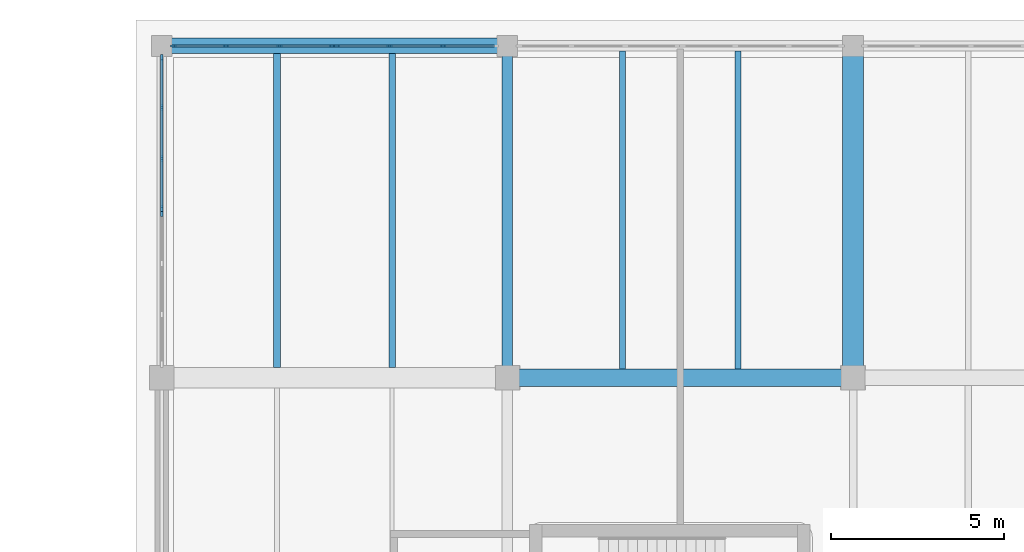
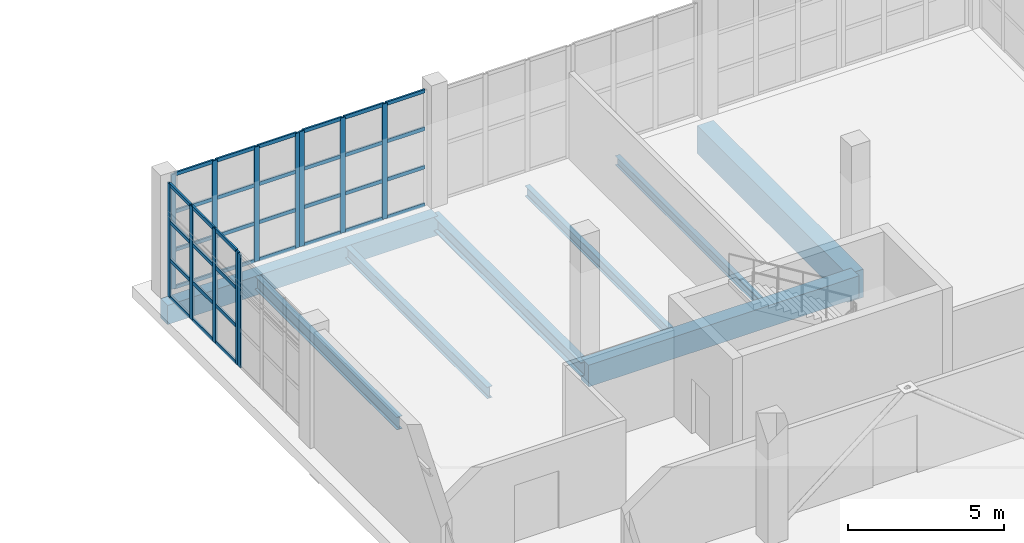
# One storey, part 39 of 121: 48 members, 8 beams, 4 elements without a shape of their own.
"""IFC4 building model written with IfcOpenShell, lengths in metres."""

from ifc_helpers import new_model, si_unit, direction, frame, origin, origin_2d, place, context, subcontext, project, spatial, rectangle, i_section, extrude, material, layer, layer_set, material_profile, profile_set, type_object, element, aggregate, save


model = new_model("IFC4")

# Units and contexts
model_context = context("Model", 3, precision=1e-05, world=origin(), true_north=direction((0.0, 1.0)))
body_context = subcontext(model_context, "Body", "Model", "MODEL_VIEW")
ifc_project = project(units=[si_unit("LENGTHUNIT", "METRE"), si_unit("AREAUNIT", "SQUARE_METRE"), si_unit("VOLUMEUNIT", "CUBIC_METRE"), si_unit("PLANEANGLEUNIT", "RADIAN"), si_unit("MASSUNIT", "GRAM", prefix="KILO")], contexts=[model_context])

# Site, building, storey
site_placement = place(None, origin())
site = spatial("IfcSite", under=ifc_project, at=site_placement, CompositionType="ELEMENT")
building_placement = place(site_placement, origin())
building = spatial("IfcBuilding", under=site, at=building_placement, Name="Zereglee Splitstone Museum", CompositionType="ELEMENT")
storey_placement = place(building_placement, origin())
storey = spatial("IfcBuildingStorey", under=building, at=storey_placement, Name="L00", CompositionType="ELEMENT", Elevation=0.0)

# Beams
ifc_material_1 = material(Name="Concrete C40/50", Category="concrete")
ifc_material_profile_1 = material_profile(ifc_material_1, rectangle(XDim=0.5, YDim=0.85009765625, at=origin_2d()), Name="RC 500x850")
ifc_profile_set_1 = profile_set([ifc_material_profile_1], Name="Concrete C40/50")
beam_type_1 = type_object("IfcBeamType", Name="BG-02", PredefinedType="BEAM", material=ifc_profile_set_1)
beam_1_placement = place(storey_placement, frame((185.199951171875, 50.39990234375, -0.844970703125), z_axis=(1.0, 0.0, 0.0), x_axis=(0.0, 1.0, 0.0)))
element("IfcBeam", 1, at=beam_1_placement, inside=storey, type_object=beam_type_1, Name="Primary Girder L00 F (185.2-195.2)", PredefinedType="BEAM", context=body_context, shape_type="SweptSolid", body=[
    extrude(rectangle(XDim=0.5, YDim=0.85009765625, at=origin_2d()), origin(), (0.0, 0.0, 1.0), 10.0),
])
ifc_material_profile_2 = material_profile(ifc_material_1, rectangle(XDim=0.60009765625, YDim=1.10009765625, at=origin_2d()), Name="RC 600x1100")
ifc_profile_set_2 = profile_set([ifc_material_profile_2], Name="Concrete C40/50")
beam_type_2 = type_object("IfcBeamType", Name="BG-01", PredefinedType="BEAM", material=ifc_profile_set_2)
beam_2_placement = place(storey_placement, frame((195.199951171875, 50.39990234375, -0.969970703125), z_axis=(0.0, 1.0, 0.0), x_axis=(-1.0, 0.0, 0.0)))
element("IfcBeam", 2, at=beam_2_placement, inside=storey, type_object=beam_type_2, Name="Primary Girder L00 22 (50.4-60.0)", PredefinedType="BEAM", context=body_context, shape_type="SweptSolid", body=[
    extrude(rectangle(XDim=0.60009765625, YDim=1.10009765625, at=origin_2d()), origin(), (0.0, 0.0, 1.0), 9.60009765625),
])

# Curtain wall, members
ifc_material_2 = material(Name="Triple-glazed low-E argon glass and bronze-anodised aluminium", Category="aluminium")
ifc_layer_1 = layer(ifc_material_2, 0.179931640625)
ifc_layer_set_1 = layer_set([ifc_layer_1], Name="Triple-glazed low-E argon glass and bronze-anodised aluminium")
curtain_wall_type_1 = type_object("IfcCurtainWallType", Name="CW-0465-450", PredefinedType="USERDEFINED", material=ifc_layer_set_1)
curtain_wall_1_placement = place(storey_placement, origin())
curtain_wall_1 = element("IfcCurtainWall", 3, at=curtain_wall_1_placement, inside=storey, type_object=curtain_wall_type_1, Name="Glazed Curtain Wall CW-0465-450 (L00)", ObjectType="GLAZED CURTAIN WALL", PredefinedType="USERDEFINED")
ifc_material_3 = material(Name="Thermally broken bronze-anodised aluminium", Category="aluminium")
ifc_material_profile_3 = material_profile(ifc_material_3, rectangle(XDim=0.06494140625, YDim=0.179931640625, at=origin_2d()), Name="CW MULL 65x180")
ifc_profile_set_3 = profile_set([ifc_material_profile_3], Name="Thermally broken bronze-anodised aluminium")
member_type_1 = type_object("IfcMemberType", Name="CWM-01", PredefinedType="MULLION", material=ifc_profile_set_3)
member_1_placement = place(storey_placement, frame((183.34130859375, 60.0, 0.0), z_axis=(0.0, 0.0, 1.0), x_axis=(0.0, -1.0, 0.0)))
member_1 = element("IfcMember", 4, at=member_1_placement, type_object=member_type_1, Name="CW-0465-450 mullion 2", PredefinedType="MULLION", context=body_context, shape_type="SweptSolid", body=[
    extrude(rectangle(XDim=0.06494140625, YDim=0.179931640625, at=origin_2d()), origin(), (0.0, 0.0, 1.0), 4.5),
])
member_2_placement = place(storey_placement, frame((181.790771484375, 60.0, 0.0), z_axis=(0.0, 0.0, 1.0), x_axis=(0.0, -1.0, 0.0)))
member_2 = element("IfcMember", 5, at=member_2_placement, type_object=member_type_1, Name="CW-0465-450 mullion 3", PredefinedType="MULLION", context=body_context, shape_type="SweptSolid", body=[
    extrude(rectangle(XDim=0.06494140625, YDim=0.179931640625, at=origin_2d()), origin(), (0.0, 0.0, 1.0), 4.5),
])
member_3_placement = place(storey_placement, frame((180.2724609375, 60.0, 0.0), z_axis=(0.0, 0.0, 1.0), x_axis=(0.0, -1.0, 0.0)))
member_3 = element("IfcMember", 6, at=member_3_placement, type_object=member_type_1, Name="CW-0465-450 mullion 4", PredefinedType="MULLION", context=body_context, shape_type="SweptSolid", body=[
    extrude(rectangle(XDim=0.06494140625, YDim=0.179931640625, at=origin_2d()), origin(), (0.0, 0.0, 1.0), 4.5),
])

ifc_layer_2 = layer(ifc_material_2, 0.179931640625)
ifc_layer_set_2 = layer_set([ifc_layer_2], Name="Triple-glazed low-E argon glass and bronze-anodised aluminium")
curtain_wall_type_2 = type_object("IfcCurtainWallType", Name="CW-0465-448", PredefinedType="USERDEFINED", material=ifc_layer_set_2)
curtain_wall_2_placement = place(storey_placement, origin())
curtain_wall_2 = element("IfcCurtainWall", 7, at=curtain_wall_2_placement, inside=storey, type_object=curtain_wall_type_2, Name="Glazed Curtain Wall CW-0465-448 (L00)", ObjectType="GLAZED CURTAIN WALL", PredefinedType="USERDEFINED")
member_4_placement = place(storey_placement, frame((180.12744140625, 60.0, 0.0), z_axis=(0.0, 0.0, 1.0), x_axis=(0.0, -1.0, 0.0)))
member_4 = element("IfcMember", 8, at=member_4_placement, type_object=member_type_1, Name="CW-0465-448 mullion 1", PredefinedType="MULLION", context=body_context, shape_type="SweptSolid", body=[
    extrude(rectangle(XDim=0.06494140625, YDim=0.179931640625, at=origin_2d()), origin(), (0.0, 0.0, 1.0), 4.47998046875),
])
member_5_placement = place(storey_placement, frame((178.609375, 60.0, 0.0), z_axis=(0.0, 0.0, 1.0), x_axis=(0.0, -1.0, 0.0)))
member_5 = element("IfcMember", 9, at=member_5_placement, type_object=member_type_1, Name="CW-0465-448 mullion 2", PredefinedType="MULLION", context=body_context, shape_type="SweptSolid", body=[
    extrude(rectangle(XDim=0.06494140625, YDim=0.179931640625, at=origin_2d()), origin(), (0.0, 0.0, 1.0), 4.47998046875),
])
member_6_placement = place(storey_placement, frame((177.05859375, 60.0, 0.0), z_axis=(0.0, 0.0, 1.0), x_axis=(0.0, -1.0, 0.0)))
member_6 = element("IfcMember", 10, at=member_6_placement, type_object=member_type_1, Name="CW-0465-448 mullion 3", PredefinedType="MULLION", context=body_context, shape_type="SweptSolid", body=[
    extrude(rectangle(XDim=0.06494140625, YDim=0.179931640625, at=origin_2d()), origin(), (0.0, 0.0, 1.0), 4.47998046875),
])
member_7_placement = place(storey_placement, frame((175.54052734375, 60.0, 0.0), z_axis=(0.0, 0.0, 1.0), x_axis=(0.0, -1.0, 0.0)))
member_7 = element("IfcMember", 11, at=member_7_placement, type_object=member_type_1, Name="CW-0465-448 mullion 4", PredefinedType="MULLION", context=body_context, shape_type="SweptSolid", body=[
    extrude(rectangle(XDim=0.06494140625, YDim=0.179931640625, at=origin_2d()), origin(), (0.0, 0.0, 1.0), 4.47998046875),
])

ifc_layer_3 = layer(ifc_material_2, 0.179931640625)
ifc_layer_set_3 = layer_set([ifc_layer_3], Name="Triple-glazed low-E argon glass and bronze-anodised aluminium")
curtain_wall_type_3 = type_object("IfcCurtainWallType", Name="CW-0443-444", PredefinedType="USERDEFINED", material=ifc_layer_set_3)
curtain_wall_3_placement = place(storey_placement, origin())
curtain_wall_3 = element("IfcCurtainWall", 12, at=curtain_wall_3_placement, inside=storey, type_object=curtain_wall_type_3, Name="Glazed Curtain Wall CW-0443-444 (L00)", ObjectType="GLAZED CURTAIN WALL", PredefinedType="USERDEFINED")
member_8_placement = place(storey_placement, frame((175.199951171875, 59.659423828125, 0.0), z_axis=(0.0, 0.0, 1.0), x_axis=(1.0, 0.0, 0.0)))
member_8 = element("IfcMember", 13, at=member_8_placement, type_object=member_type_1, Name="CW-0443-444 mullion 1", PredefinedType="MULLION", context=body_context, shape_type="SweptSolid", body=[
    extrude(rectangle(XDim=0.06494140625, YDim=0.179931640625, at=origin_2d()), origin(), (0.0, 0.0, 1.0), 4.43994140625),
])
member_9_placement = place(storey_placement, frame((175.199951171875, 58.21630859375, 0.0), z_axis=(0.0, 0.0, 1.0), x_axis=(1.0, 0.0, 0.0)))
member_9 = element("IfcMember", 14, at=member_9_placement, type_object=member_type_1, Name="CW-0443-444 mullion 2", PredefinedType="MULLION", context=body_context, shape_type="SweptSolid", body=[
    extrude(rectangle(XDim=0.06494140625, YDim=0.179931640625, at=origin_2d()), origin(), (0.0, 0.0, 1.0), 4.43994140625),
])
member_10_placement = place(storey_placement, frame((175.199951171875, 56.74072265625, 0.0), z_axis=(0.0, 0.0, 1.0), x_axis=(1.0, 0.0, 0.0)))
member_10 = element("IfcMember", 15, at=member_10_placement, type_object=member_type_1, Name="CW-0443-444 mullion 3", PredefinedType="MULLION", context=body_context, shape_type="SweptSolid", body=[
    extrude(rectangle(XDim=0.06494140625, YDim=0.179931640625, at=origin_2d()), origin(), (0.0, 0.0, 1.0), 4.43994140625),
])
member_11_placement = place(storey_placement, frame((175.199951171875, 55.297607421875, 0.0), z_axis=(0.0, 0.0, 1.0), x_axis=(1.0, 0.0, 0.0)))
member_11 = element("IfcMember", 16, at=member_11_placement, type_object=member_type_1, Name="CW-0443-444 mullion 4", PredefinedType="MULLION", context=body_context, shape_type="SweptSolid", body=[
    extrude(rectangle(XDim=0.06494140625, YDim=0.179931640625, at=origin_2d()), origin(), (0.0, 0.0, 1.0), 4.43994140625),
])

# Curtain wall, member
ifc_layer_4 = layer(ifc_material_2, 0.179931640625)
ifc_layer_set_4 = layer_set([ifc_layer_4], Name="Triple-glazed low-E argon glass and bronze-anodised aluminium")
curtain_wall_type_4 = type_object("IfcCurtainWallType", Name="CW-0443-442", PredefinedType="USERDEFINED", material=ifc_layer_set_4)
curtain_wall_4_placement = place(storey_placement, origin())
curtain_wall_4 = element("IfcCurtainWall", 17, at=curtain_wall_4_placement, inside=storey, type_object=curtain_wall_type_4, Name="Glazed Curtain Wall CW-0443-442 (L00)", ObjectType="GLAZED CURTAIN WALL", PredefinedType="USERDEFINED")
member_12_placement = place(storey_placement, frame((175.199951171875, 55.152587890625, 0.0), z_axis=(0.0, 0.0, 1.0), x_axis=(1.0, 0.0, 0.0)))
member_12 = element("IfcMember", 18, at=member_12_placement, type_object=member_type_1, Name="CW-0443-442 mullion 1", PredefinedType="MULLION", context=body_context, shape_type="SweptSolid", body=[
    extrude(rectangle(XDim=0.06494140625, YDim=0.179931640625, at=origin_2d()), origin(), (0.0, 0.0, 1.0), 4.419921875),
])
aggregate(curtain_wall_4, [member_12])

# Member
ifc_material_profile_4 = material_profile(ifc_material_3, rectangle(XDim=0.06494140625, YDim=0.139892578125, at=origin_2d()), Name="CW TRAN 65x140")
ifc_profile_set_4 = profile_set([ifc_material_profile_4], Name="Thermally broken bronze-anodised aluminium")
member_type_2 = type_object("IfcMemberType", Name="CWT-01", PredefinedType="USERDEFINED", material=ifc_profile_set_4)
member_13_placement = place(storey_placement, frame((184.826904296875, 60.0, 0.032470703125), z_axis=(-1.0, 0.0, 0.0), x_axis=(0.0, -1.0, 0.0)))
member_13 = element("IfcMember", 19, at=member_13_placement, type_object=member_type_2, Name="CW-0465-450 transom 1.1", ObjectType="TRANSOM", PredefinedType="USERDEFINED", context=body_context, shape_type="SweptSolid", body=[
    extrude(rectangle(XDim=0.06494140625, YDim=0.139892578125, at=origin_2d()), origin(), (0.0, 0.0, 1.0), 1.453125),
])

member_14_placement = place(storey_placement, frame((184.826904296875, 60.0, 1.5), z_axis=(-1.0, 0.0, 0.0), x_axis=(0.0, -1.0, 0.0)))
member_14 = element("IfcMember", 20, at=member_14_placement, type_object=member_type_2, Name="CW-0465-450 transom 1.2", ObjectType="TRANSOM", PredefinedType="USERDEFINED", context=body_context, shape_type="SweptSolid", body=[
    extrude(rectangle(XDim=0.06494140625, YDim=0.139892578125, at=origin_2d()), origin(), (0.0, 0.0, 1.0), 1.453125),
])

member_15_placement = place(storey_placement, frame((184.826904296875, 60.0, 3.0), z_axis=(-1.0, 0.0, 0.0), x_axis=(0.0, -1.0, 0.0)))
member_15 = element("IfcMember", 21, at=member_15_placement, type_object=member_type_2, Name="CW-0465-450 transom 1.3", ObjectType="TRANSOM", PredefinedType="USERDEFINED", context=body_context, shape_type="SweptSolid", body=[
    extrude(rectangle(XDim=0.06494140625, YDim=0.139892578125, at=origin_2d()), origin(), (0.0, 0.0, 1.0), 1.453125),
])

member_16_placement = place(storey_placement, frame((184.826904296875, 60.0, 4.467529296875), z_axis=(-1.0, 0.0, 0.0), x_axis=(0.0, -1.0, 0.0)))
member_16 = element("IfcMember", 22, at=member_16_placement, type_object=member_type_2, Name="CW-0465-450 transom 1.4", ObjectType="TRANSOM", PredefinedType="USERDEFINED", context=body_context, shape_type="SweptSolid", body=[
    extrude(rectangle(XDim=0.06494140625, YDim=0.139892578125, at=origin_2d()), origin(), (0.0, 0.0, 1.0), 1.453125),
])

member_17_placement = place(storey_placement, frame((183.308837890625, 60.0, 0.032470703125), z_axis=(-1.0, 0.0, 0.0), x_axis=(0.0, -1.0, 0.0)))
member_17 = element("IfcMember", 23, at=member_17_placement, type_object=member_type_2, Name="CW-0465-450 transom 2.1", ObjectType="TRANSOM", PredefinedType="USERDEFINED", context=body_context, shape_type="SweptSolid", body=[
    extrude(rectangle(XDim=0.06494140625, YDim=0.139892578125, at=origin_2d()), origin(), (0.0, 0.0, 1.0), 1.485595703125),
])

member_18_placement = place(storey_placement, frame((183.308837890625, 60.0, 1.5), z_axis=(-1.0, 0.0, 0.0), x_axis=(0.0, -1.0, 0.0)))
member_18 = element("IfcMember", 24, at=member_18_placement, type_object=member_type_2, Name="CW-0465-450 transom 2.2", ObjectType="TRANSOM", PredefinedType="USERDEFINED", context=body_context, shape_type="SweptSolid", body=[
    extrude(rectangle(XDim=0.06494140625, YDim=0.139892578125, at=origin_2d()), origin(), (0.0, 0.0, 1.0), 1.485595703125),
])

member_19_placement = place(storey_placement, frame((183.308837890625, 60.0, 3.0), z_axis=(-1.0, 0.0, 0.0), x_axis=(0.0, -1.0, 0.0)))
member_19 = element("IfcMember", 25, at=member_19_placement, type_object=member_type_2, Name="CW-0465-450 transom 2.3", ObjectType="TRANSOM", PredefinedType="USERDEFINED", context=body_context, shape_type="SweptSolid", body=[
    extrude(rectangle(XDim=0.06494140625, YDim=0.139892578125, at=origin_2d()), origin(), (0.0, 0.0, 1.0), 1.485595703125),
])

member_20_placement = place(storey_placement, frame((183.308837890625, 60.0, 4.467529296875), z_axis=(-1.0, 0.0, 0.0), x_axis=(0.0, -1.0, 0.0)))
member_20 = element("IfcMember", 26, at=member_20_placement, type_object=member_type_2, Name="CW-0465-450 transom 2.4", ObjectType="TRANSOM", PredefinedType="USERDEFINED", context=body_context, shape_type="SweptSolid", body=[
    extrude(rectangle(XDim=0.06494140625, YDim=0.139892578125, at=origin_2d()), origin(), (0.0, 0.0, 1.0), 1.485595703125),
])

member_21_placement = place(storey_placement, frame((181.758056640625, 60.0, 0.032470703125), z_axis=(-1.0, 0.0, 0.0), x_axis=(0.0, -1.0, 0.0)))
member_21 = element("IfcMember", 27, at=member_21_placement, type_object=member_type_2, Name="CW-0465-450 transom 3.1", ObjectType="TRANSOM", PredefinedType="USERDEFINED", context=body_context, shape_type="SweptSolid", body=[
    extrude(rectangle(XDim=0.06494140625, YDim=0.139892578125, at=origin_2d()), origin(), (0.0, 0.0, 1.0), 1.453125),
])

member_22_placement = place(storey_placement, frame((181.758056640625, 60.0, 1.5), z_axis=(-1.0, 0.0, 0.0), x_axis=(0.0, -1.0, 0.0)))
member_22 = element("IfcMember", 28, at=member_22_placement, type_object=member_type_2, Name="CW-0465-450 transom 3.2", ObjectType="TRANSOM", PredefinedType="USERDEFINED", context=body_context, shape_type="SweptSolid", body=[
    extrude(rectangle(XDim=0.06494140625, YDim=0.139892578125, at=origin_2d()), origin(), (0.0, 0.0, 1.0), 1.453125),
])

member_23_placement = place(storey_placement, frame((181.758056640625, 60.0, 3.0), z_axis=(-1.0, 0.0, 0.0), x_axis=(0.0, -1.0, 0.0)))
member_23 = element("IfcMember", 29, at=member_23_placement, type_object=member_type_2, Name="CW-0465-450 transom 3.3", ObjectType="TRANSOM", PredefinedType="USERDEFINED", context=body_context, shape_type="SweptSolid", body=[
    extrude(rectangle(XDim=0.06494140625, YDim=0.139892578125, at=origin_2d()), origin(), (0.0, 0.0, 1.0), 1.453125),
])

member_24_placement = place(storey_placement, frame((181.758056640625, 60.0, 4.467529296875), z_axis=(-1.0, 0.0, 0.0), x_axis=(0.0, -1.0, 0.0)))
member_24 = element("IfcMember", 30, at=member_24_placement, type_object=member_type_2, Name="CW-0465-450 transom 3.4", ObjectType="TRANSOM", PredefinedType="USERDEFINED", context=body_context, shape_type="SweptSolid", body=[
    extrude(rectangle(XDim=0.06494140625, YDim=0.139892578125, at=origin_2d()), origin(), (0.0, 0.0, 1.0), 1.453125),
])

aggregate(curtain_wall_1, [member_1, member_2, member_3, member_13, member_14, member_15, member_16, member_17, member_18, member_19, member_20, member_21, member_22, member_23, member_24])

member_25_placement = place(storey_placement, frame((180.094970703125, 60.0, 0.032470703125), z_axis=(-1.0, 0.0, 0.0), x_axis=(0.0, -1.0, 0.0)))
member_25 = element("IfcMember", 31, at=member_25_placement, type_object=member_type_2, Name="CW-0465-448 transom 1.1", ObjectType="TRANSOM", PredefinedType="USERDEFINED", context=body_context, shape_type="SweptSolid", body=[
    extrude(rectangle(XDim=0.06494140625, YDim=0.139892578125, at=origin_2d()), origin(), (0.0, 0.0, 1.0), 1.453125),
])

member_26_placement = place(storey_placement, frame((180.094970703125, 60.0, 1.493408203125), z_axis=(-1.0, 0.0, 0.0), x_axis=(0.0, -1.0, 0.0)))
member_26 = element("IfcMember", 32, at=member_26_placement, type_object=member_type_2, Name="CW-0465-448 transom 1.2", ObjectType="TRANSOM", PredefinedType="USERDEFINED", context=body_context, shape_type="SweptSolid", body=[
    extrude(rectangle(XDim=0.06494140625, YDim=0.139892578125, at=origin_2d()), origin(), (0.0, 0.0, 1.0), 1.453125),
])

member_27_placement = place(storey_placement, frame((180.094970703125, 60.0, 2.98681640625), z_axis=(-1.0, 0.0, 0.0), x_axis=(0.0, -1.0, 0.0)))
member_27 = element("IfcMember", 33, at=member_27_placement, type_object=member_type_2, Name="CW-0465-448 transom 1.3", ObjectType="TRANSOM", PredefinedType="USERDEFINED", context=body_context, shape_type="SweptSolid", body=[
    extrude(rectangle(XDim=0.06494140625, YDim=0.139892578125, at=origin_2d()), origin(), (0.0, 0.0, 1.0), 1.453125),
])

member_28_placement = place(storey_placement, frame((180.094970703125, 60.0, 4.447509765625), z_axis=(-1.0, 0.0, 0.0), x_axis=(0.0, -1.0, 0.0)))
member_28 = element("IfcMember", 34, at=member_28_placement, type_object=member_type_2, Name="CW-0465-448 transom 1.4", ObjectType="TRANSOM", PredefinedType="USERDEFINED", context=body_context, shape_type="SweptSolid", body=[
    extrude(rectangle(XDim=0.06494140625, YDim=0.139892578125, at=origin_2d()), origin(), (0.0, 0.0, 1.0), 1.453125),
])

member_29_placement = place(storey_placement, frame((178.576904296875, 60.0, 0.032470703125), z_axis=(-1.0, 0.0, 0.0), x_axis=(0.0, -1.0, 0.0)))
member_29 = element("IfcMember", 35, at=member_29_placement, type_object=member_type_2, Name="CW-0465-448 transom 2.1", ObjectType="TRANSOM", PredefinedType="USERDEFINED", context=body_context, shape_type="SweptSolid", body=[
    extrude(rectangle(XDim=0.06494140625, YDim=0.139892578125, at=origin_2d()), origin(), (0.0, 0.0, 1.0), 1.48583984375),
])

member_30_placement = place(storey_placement, frame((178.576904296875, 60.0, 1.493408203125), z_axis=(-1.0, 0.0, 0.0), x_axis=(0.0, -1.0, 0.0)))
member_30 = element("IfcMember", 36, at=member_30_placement, type_object=member_type_2, Name="CW-0465-448 transom 2.2", ObjectType="TRANSOM", PredefinedType="USERDEFINED", context=body_context, shape_type="SweptSolid", body=[
    extrude(rectangle(XDim=0.06494140625, YDim=0.139892578125, at=origin_2d()), origin(), (0.0, 0.0, 1.0), 1.48583984375),
])

member_31_placement = place(storey_placement, frame((178.576904296875, 60.0, 2.98681640625), z_axis=(-1.0, 0.0, 0.0), x_axis=(0.0, -1.0, 0.0)))
member_31 = element("IfcMember", 37, at=member_31_placement, type_object=member_type_2, Name="CW-0465-448 transom 2.3", ObjectType="TRANSOM", PredefinedType="USERDEFINED", context=body_context, shape_type="SweptSolid", body=[
    extrude(rectangle(XDim=0.06494140625, YDim=0.139892578125, at=origin_2d()), origin(), (0.0, 0.0, 1.0), 1.48583984375),
])

member_32_placement = place(storey_placement, frame((178.576904296875, 60.0, 4.447509765625), z_axis=(-1.0, 0.0, 0.0), x_axis=(0.0, -1.0, 0.0)))
member_32 = element("IfcMember", 38, at=member_32_placement, type_object=member_type_2, Name="CW-0465-448 transom 2.4", ObjectType="TRANSOM", PredefinedType="USERDEFINED", context=body_context, shape_type="SweptSolid", body=[
    extrude(rectangle(XDim=0.06494140625, YDim=0.139892578125, at=origin_2d()), origin(), (0.0, 0.0, 1.0), 1.48583984375),
])

member_33_placement = place(storey_placement, frame((177.026123046875, 60.0, 0.032470703125), z_axis=(-1.0, 0.0, 0.0), x_axis=(0.0, -1.0, 0.0)))
member_33 = element("IfcMember", 39, at=member_33_placement, type_object=member_type_2, Name="CW-0465-448 transom 3.1", ObjectType="TRANSOM", PredefinedType="USERDEFINED", context=body_context, shape_type="SweptSolid", body=[
    extrude(rectangle(XDim=0.06494140625, YDim=0.139892578125, at=origin_2d()), origin(), (0.0, 0.0, 1.0), 1.453125),
])

member_34_placement = place(storey_placement, frame((177.026123046875, 60.0, 1.493408203125), z_axis=(-1.0, 0.0, 0.0), x_axis=(0.0, -1.0, 0.0)))
member_34 = element("IfcMember", 40, at=member_34_placement, type_object=member_type_2, Name="CW-0465-448 transom 3.2", ObjectType="TRANSOM", PredefinedType="USERDEFINED", context=body_context, shape_type="SweptSolid", body=[
    extrude(rectangle(XDim=0.06494140625, YDim=0.139892578125, at=origin_2d()), origin(), (0.0, 0.0, 1.0), 1.453125),
])

member_35_placement = place(storey_placement, frame((177.026123046875, 60.0, 2.98681640625), z_axis=(-1.0, 0.0, 0.0), x_axis=(0.0, -1.0, 0.0)))
member_35 = element("IfcMember", 41, at=member_35_placement, type_object=member_type_2, Name="CW-0465-448 transom 3.3", ObjectType="TRANSOM", PredefinedType="USERDEFINED", context=body_context, shape_type="SweptSolid", body=[
    extrude(rectangle(XDim=0.06494140625, YDim=0.139892578125, at=origin_2d()), origin(), (0.0, 0.0, 1.0), 1.453125),
])

member_36_placement = place(storey_placement, frame((177.026123046875, 60.0, 4.447509765625), z_axis=(-1.0, 0.0, 0.0), x_axis=(0.0, -1.0, 0.0)))
member_36 = element("IfcMember", 42, at=member_36_placement, type_object=member_type_2, Name="CW-0465-448 transom 3.4", ObjectType="TRANSOM", PredefinedType="USERDEFINED", context=body_context, shape_type="SweptSolid", body=[
    extrude(rectangle(XDim=0.06494140625, YDim=0.139892578125, at=origin_2d()), origin(), (0.0, 0.0, 1.0), 1.453125),
])

aggregate(curtain_wall_2, [member_4, member_5, member_6, member_7, member_25, member_26, member_27, member_28, member_29, member_30, member_31, member_32, member_33, member_34, member_35, member_36])

member_37_placement = place(storey_placement, frame((175.199951171875, 59.626953125, 0.032470703125), z_axis=(0.0, -1.0, 0.0), x_axis=(1.0, 0.0, 0.0)))
member_37 = element("IfcMember", 43, at=member_37_placement, type_object=member_type_2, Name="CW-0443-444 transom 1.1", ObjectType="TRANSOM", PredefinedType="USERDEFINED", context=body_context, shape_type="SweptSolid", body=[
    extrude(rectangle(XDim=0.06494140625, YDim=0.139892578125, at=origin_2d()), origin(), (0.0, 0.0, 1.0), 1.378173828125),
])

member_38_placement = place(storey_placement, frame((175.199951171875, 59.626953125, 1.47998046875), z_axis=(0.0, -1.0, 0.0), x_axis=(1.0, 0.0, 0.0)))
member_38 = element("IfcMember", 44, at=member_38_placement, type_object=member_type_2, Name="CW-0443-444 transom 1.2", ObjectType="TRANSOM", PredefinedType="USERDEFINED", context=body_context, shape_type="SweptSolid", body=[
    extrude(rectangle(XDim=0.06494140625, YDim=0.139892578125, at=origin_2d()), origin(), (0.0, 0.0, 1.0), 1.378173828125),
])

member_39_placement = place(storey_placement, frame((175.199951171875, 59.626953125, 2.9599609375), z_axis=(0.0, -1.0, 0.0), x_axis=(1.0, 0.0, 0.0)))
member_39 = element("IfcMember", 45, at=member_39_placement, type_object=member_type_2, Name="CW-0443-444 transom 1.3", ObjectType="TRANSOM", PredefinedType="USERDEFINED", context=body_context, shape_type="SweptSolid", body=[
    extrude(rectangle(XDim=0.06494140625, YDim=0.139892578125, at=origin_2d()), origin(), (0.0, 0.0, 1.0), 1.378173828125),
])

member_40_placement = place(storey_placement, frame((175.199951171875, 59.626953125, 4.407470703125), z_axis=(0.0, -1.0, 0.0), x_axis=(1.0, 0.0, 0.0)))
member_40 = element("IfcMember", 46, at=member_40_placement, type_object=member_type_2, Name="CW-0443-444 transom 1.4", ObjectType="TRANSOM", PredefinedType="USERDEFINED", context=body_context, shape_type="SweptSolid", body=[
    extrude(rectangle(XDim=0.06494140625, YDim=0.139892578125, at=origin_2d()), origin(), (0.0, 0.0, 1.0), 1.378173828125),
])

member_41_placement = place(storey_placement, frame((175.199951171875, 58.183837890625, 0.032470703125), z_axis=(0.0, -1.0, 0.0), x_axis=(1.0, 0.0, 0.0)))
member_41 = element("IfcMember", 47, at=member_41_placement, type_object=member_type_2, Name="CW-0443-444 transom 2.1", ObjectType="TRANSOM", PredefinedType="USERDEFINED", context=body_context, shape_type="SweptSolid", body=[
    extrude(rectangle(XDim=0.06494140625, YDim=0.139892578125, at=origin_2d()), origin(), (0.0, 0.0, 1.0), 1.41064453125),
])

member_42_placement = place(storey_placement, frame((175.199951171875, 58.183837890625, 1.47998046875), z_axis=(0.0, -1.0, 0.0), x_axis=(1.0, 0.0, 0.0)))
member_42 = element("IfcMember", 48, at=member_42_placement, type_object=member_type_2, Name="CW-0443-444 transom 2.2", ObjectType="TRANSOM", PredefinedType="USERDEFINED", context=body_context, shape_type="SweptSolid", body=[
    extrude(rectangle(XDim=0.06494140625, YDim=0.139892578125, at=origin_2d()), origin(), (0.0, 0.0, 1.0), 1.41064453125),
])

member_43_placement = place(storey_placement, frame((175.199951171875, 58.183837890625, 2.9599609375), z_axis=(0.0, -1.0, 0.0), x_axis=(1.0, 0.0, 0.0)))
member_43 = element("IfcMember", 49, at=member_43_placement, type_object=member_type_2, Name="CW-0443-444 transom 2.3", ObjectType="TRANSOM", PredefinedType="USERDEFINED", context=body_context, shape_type="SweptSolid", body=[
    extrude(rectangle(XDim=0.06494140625, YDim=0.139892578125, at=origin_2d()), origin(), (0.0, 0.0, 1.0), 1.41064453125),
])

member_44_placement = place(storey_placement, frame((175.199951171875, 58.183837890625, 4.407470703125), z_axis=(0.0, -1.0, 0.0), x_axis=(1.0, 0.0, 0.0)))
member_44 = element("IfcMember", 50, at=member_44_placement, type_object=member_type_2, Name="CW-0443-444 transom 2.4", ObjectType="TRANSOM", PredefinedType="USERDEFINED", context=body_context, shape_type="SweptSolid", body=[
    extrude(rectangle(XDim=0.06494140625, YDim=0.139892578125, at=origin_2d()), origin(), (0.0, 0.0, 1.0), 1.41064453125),
])

member_45_placement = place(storey_placement, frame((175.199951171875, 56.708251953125, 0.032470703125), z_axis=(0.0, -1.0, 0.0), x_axis=(1.0, 0.0, 0.0)))
member_45 = element("IfcMember", 51, at=member_45_placement, type_object=member_type_2, Name="CW-0443-444 transom 3.1", ObjectType="TRANSOM", PredefinedType="USERDEFINED", context=body_context, shape_type="SweptSolid", body=[
    extrude(rectangle(XDim=0.06494140625, YDim=0.139892578125, at=origin_2d()), origin(), (0.0, 0.0, 1.0), 1.378173828125),
])

member_46_placement = place(storey_placement, frame((175.199951171875, 56.708251953125, 1.47998046875), z_axis=(0.0, -1.0, 0.0), x_axis=(1.0, 0.0, 0.0)))
member_46 = element("IfcMember", 52, at=member_46_placement, type_object=member_type_2, Name="CW-0443-444 transom 3.2", ObjectType="TRANSOM", PredefinedType="USERDEFINED", context=body_context, shape_type="SweptSolid", body=[
    extrude(rectangle(XDim=0.06494140625, YDim=0.139892578125, at=origin_2d()), origin(), (0.0, 0.0, 1.0), 1.378173828125),
])

member_47_placement = place(storey_placement, frame((175.199951171875, 56.708251953125, 2.9599609375), z_axis=(0.0, -1.0, 0.0), x_axis=(1.0, 0.0, 0.0)))
member_47 = element("IfcMember", 53, at=member_47_placement, type_object=member_type_2, Name="CW-0443-444 transom 3.3", ObjectType="TRANSOM", PredefinedType="USERDEFINED", context=body_context, shape_type="SweptSolid", body=[
    extrude(rectangle(XDim=0.06494140625, YDim=0.139892578125, at=origin_2d()), origin(), (0.0, 0.0, 1.0), 1.378173828125),
])

member_48_placement = place(storey_placement, frame((175.199951171875, 56.708251953125, 4.407470703125), z_axis=(0.0, -1.0, 0.0), x_axis=(1.0, 0.0, 0.0)))
member_48 = element("IfcMember", 54, at=member_48_placement, type_object=member_type_2, Name="CW-0443-444 transom 3.4", ObjectType="TRANSOM", PredefinedType="USERDEFINED", context=body_context, shape_type="SweptSolid", body=[
    extrude(rectangle(XDim=0.06494140625, YDim=0.139892578125, at=origin_2d()), origin(), (0.0, 0.0, 1.0), 1.378173828125),
])

aggregate(curtain_wall_3, [member_8, member_9, member_10, member_11, member_37, member_38, member_39, member_40, member_41, member_42, member_43, member_44, member_45, member_46, member_47, member_48])

# Beams
ifc_material_4 = material(Name="Steel S355J2", Category="steel")
ifc_material_profile_5 = material_profile(ifc_material_4, i_section(OverallWidth=0.300048828125, OverallDepth=0.550048828125, WebThickness=0.014892578125, FlangeThickness=0.029052734375, FilletRadius=0.027099609375, at=origin_2d()), Name="HE 550 B")
ifc_profile_set_5 = profile_set([ifc_material_profile_5], Name="Steel S355J2")
beam_type_3 = type_object("IfcBeamType", Name="BG-11", PredefinedType="BEAM", material=ifc_profile_set_5)
beam_3_placement = place(storey_placement, frame((185.199951171875, 50.39990234375, -0.695068359375), z_axis=(0.0, 1.0, 0.0), x_axis=(-1.0, 0.0, 0.0)))
element("IfcBeam", 55, at=beam_3_placement, inside=storey, type_object=beam_type_3, Name="Primary Girder L00 21 (50.4-60.0)", PredefinedType="BEAM", context=body_context, shape_type="SweptSolid", body=[
    extrude(i_section(OverallWidth=0.300048828125, OverallDepth=0.550048828125, WebThickness=0.014892578125, FlangeThickness=0.029052734375, FilletRadius=0.027099609375, at=origin_2d()), origin(), (0.0, 0.0, 1.0), 9.60009765625),
])
ifc_material_profile_6 = material_profile(ifc_material_4, i_section(OverallWidth=0.169921875, OverallDepth=0.360107421875, WebThickness=0.008056640625, FlangeThickness=0.0126953125, FilletRadius=0.01806640625, at=origin_2d()), Name="IPE 360")
ifc_profile_set_6 = profile_set([ifc_material_profile_6], Name="Steel S355J2")
beam_type_4 = type_object("IfcBeamType", Name="BJ-04", PredefinedType="JOIST", material=ifc_profile_set_6)
beam_4_placement = place(storey_placement, frame((191.86669921875, 50.64990234375, -0.60009765625), z_axis=(0.0, 1.0, 0.0), x_axis=(-1.0, 0.0, 0.0)))
element("IfcBeam", 56, at=beam_4_placement, inside=storey, type_object=beam_type_4, Name="Secondary Floor Joist L00-0416", PredefinedType="JOIST", context=body_context, shape_type="SweptSolid", body=[
    extrude(i_section(OverallWidth=0.169921875, OverallDepth=0.360107421875, WebThickness=0.008056640625, FlangeThickness=0.0126953125, FilletRadius=0.01806640625, at=origin_2d()), origin(), (0.0, 0.0, 1.0), 9.2001953125),
])
ifc_material_profile_7 = material_profile(ifc_material_4, i_section(OverallWidth=0.179931640625, OverallDepth=0.39990234375, WebThickness=0.008544921875, FlangeThickness=0.013427734375, FilletRadius=0.02099609375, at=origin_2d()), Name="IPE 400")
ifc_profile_set_7 = profile_set([ifc_material_profile_7], Name="Steel S355J2")
beam_type_5 = type_object("IfcBeamType", Name="BJ-03", PredefinedType="JOIST", material=ifc_profile_set_7)
beam_5_placement = place(storey_placement, frame((188.533203125, 50.64990234375, -0.6201171875), z_axis=(0.0, 1.0, 0.0), x_axis=(-1.0, 0.0, 0.0)))
element("IfcBeam", 57, at=beam_5_placement, inside=storey, type_object=beam_type_5, Name="Secondary Floor Joist L00-0415", PredefinedType="JOIST", context=body_context, shape_type="SweptSolid", body=[
    extrude(i_section(OverallWidth=0.179931640625, OverallDepth=0.39990234375, WebThickness=0.008544921875, FlangeThickness=0.013427734375, FilletRadius=0.02099609375, at=origin_2d()), origin(), (0.0, 0.0, 1.0), 9.2001953125),
])
ifc_material_profile_8 = material_profile(ifc_material_4, i_section(OverallWidth=0.18994140625, OverallDepth=0.449951171875, WebThickness=0.009521484375, FlangeThickness=0.0146484375, FilletRadius=0.02099609375, at=origin_2d()), Name="IPE 450")
ifc_profile_set_8 = profile_set([ifc_material_profile_8], Name="Steel S355J2")
beam_type_6 = type_object("IfcBeamType", Name="BJ-02", PredefinedType="JOIST", material=ifc_profile_set_8)
beam_6_placement = place(storey_placement, frame((181.86669921875, 50.699951171875, -0.64501953125), z_axis=(0.0, 1.0, 0.0), x_axis=(-1.0, 0.0, 0.0)))
element("IfcBeam", 58, at=beam_6_placement, inside=storey, type_object=beam_type_6, Name="Secondary Floor Joist L00-0414", PredefinedType="JOIST", context=body_context, shape_type="SweptSolid", body=[
    extrude(i_section(OverallWidth=0.18994140625, OverallDepth=0.449951171875, WebThickness=0.009521484375, FlangeThickness=0.0146484375, FilletRadius=0.02099609375, at=origin_2d()), origin(), (0.0, 0.0, 1.0), 9.074951171875),
])
ifc_material_profile_9 = material_profile(ifc_material_4, i_section(OverallWidth=0.199951171875, OverallDepth=0.5, WebThickness=0.01025390625, FlangeThickness=0.01611328125, FilletRadius=0.02099609375, at=origin_2d()), Name="IPE 500")
ifc_profile_set_9 = profile_set([ifc_material_profile_9], Name="Steel S355J2")
beam_type_7 = type_object("IfcBeamType", Name="BJ-01", PredefinedType="JOIST", material=ifc_profile_set_9)
beam_7_placement = place(storey_placement, frame((178.533203125, 50.699951171875, -0.669921875), z_axis=(0.0, 1.0, 0.0), x_axis=(-1.0, 0.0, 0.0)))
element("IfcBeam", 59, at=beam_7_placement, inside=storey, type_object=beam_type_7, Name="Secondary Floor Joist L00-0413", PredefinedType="JOIST", context=body_context, shape_type="SweptSolid", body=[
    extrude(i_section(OverallWidth=0.199951171875, OverallDepth=0.5, WebThickness=0.01025390625, FlangeThickness=0.01611328125, FilletRadius=0.02099609375, at=origin_2d()), origin(), (0.0, 0.0, 1.0), 9.074951171875),
])
ifc_material_profile_10 = material_profile(ifc_material_1, rectangle(XDim=0.449951171875, YDim=0.75, at=origin_2d()), Name="RC 450x750")
ifc_profile_set_10 = profile_set([ifc_material_profile_10], Name="Concrete C40/50")
beam_type_8 = type_object("IfcBeamType", Name="SP-01", PredefinedType="SPANDREL", material=ifc_profile_set_10)
beam_8_placement = place(storey_placement, frame((175.199951171875, 60.0, -0.794921875), z_axis=(1.0, 0.0, 0.0), x_axis=(0.0, 1.0, 0.0)))
element("IfcBeam", 60, at=beam_8_placement, inside=storey, type_object=beam_type_8, Name="Primary Girder L00 G (175.2-185.2)", PredefinedType="SPANDREL", context=body_context, shape_type="SweptSolid", body=[
    extrude(rectangle(XDim=0.449951171875, YDim=0.75, at=origin_2d()), origin(), (0.0, 0.0, 1.0), 10.0),
])

save(model, "model.ifc")
